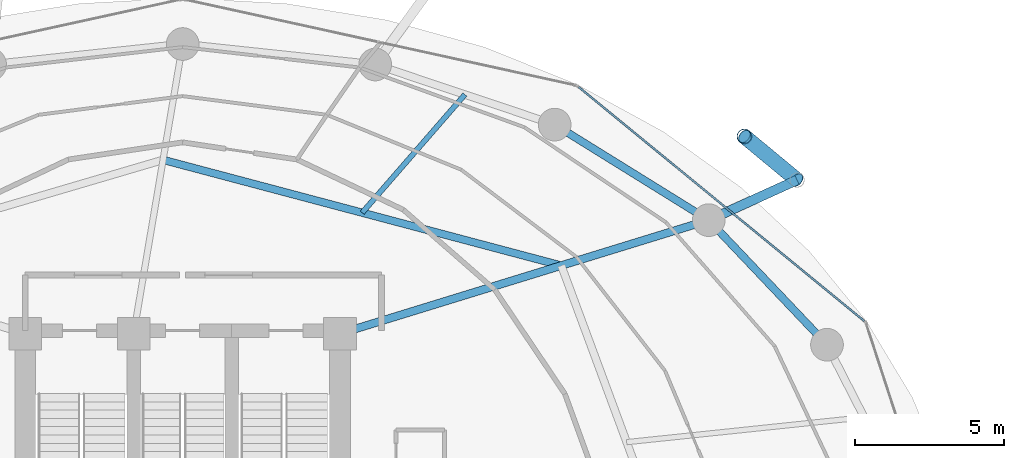
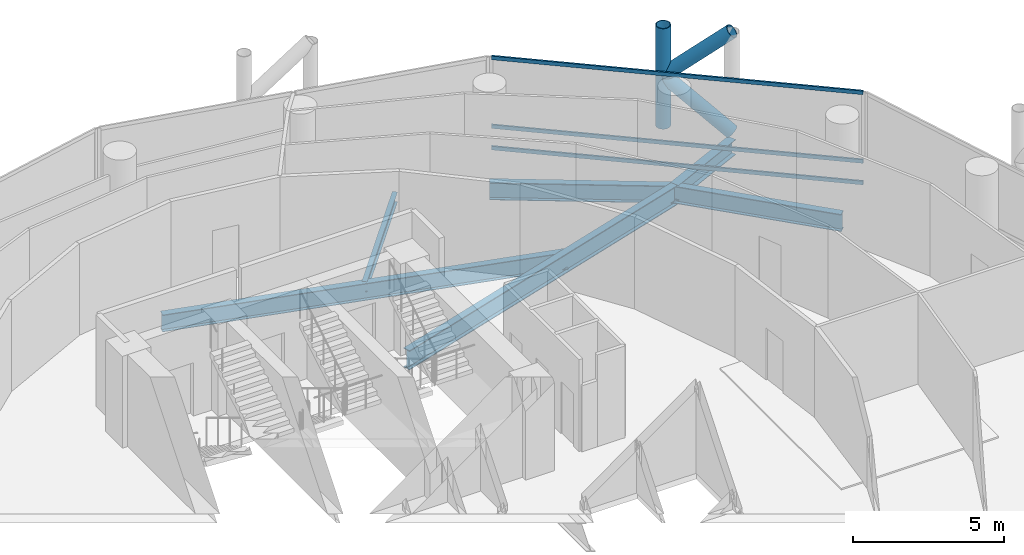
# One storey, part 17 of 27: 6 beams, 6 members, 1 element without a shape of its own.
"""IFC4 building model written with IfcOpenShell, lengths in metres."""

from ifc_helpers import new_model, si_unit, direction, frame, origin, origin_2d, place, context, subcontext, project, spatial, hollow_rectangle, hollow_circle, i_section, extrude, material, layer, layer_set, material_profile, profile_set, type_object, element, aggregate, save


model = new_model("IFC4")

# Units and contexts
model_context = context("Model", 3, precision=1e-05, world=origin(), true_north=direction((0.0, 1.0)))
body_context = subcontext(model_context, "Body", "Model", "MODEL_VIEW")
ifc_project = project(units=[si_unit("LENGTHUNIT", "METRE"), si_unit("AREAUNIT", "SQUARE_METRE"), si_unit("VOLUMEUNIT", "CUBIC_METRE"), si_unit("PLANEANGLEUNIT", "RADIAN"), si_unit("MASSUNIT", "GRAM", prefix="KILO")], contexts=[model_context])

# Site, building, storey
site_placement = place(None, origin())
site = spatial("IfcSite", under=ifc_project, at=site_placement, CompositionType="ELEMENT")
building_placement = place(site_placement, origin())
building = spatial("IfcBuilding", under=site, at=building_placement, Name="Nuhasar Tower", CompositionType="ELEMENT")
storey_placement = place(building_placement, frame((0.0, 0.0, 102.0)))
storey = spatial("IfcBuildingStorey", under=building, at=storey_placement, Name="L24", CompositionType="ELEMENT", Elevation=102.0)

# Beams
ifc_material_1 = material(Name="Steel S355", Category="steel")
ifc_material_profile_1 = material_profile(ifc_material_1, i_section(OverallWidth=0.25390625, OverallDepth=0.68408203125, WebThickness=0.012451171875, FlangeThickness=0.018798828125, at=origin_2d()), Name="W27X94")
ifc_profile_set_1 = profile_set([ifc_material_profile_1], Name="Steel S355")
beam_type_1 = type_object("IfcBeamType", Name="BM-INRING-W27X94", PredefinedType="BEAM", material=ifc_profile_set_1)
beam_1_placement = place(storey_placement, frame((51.748046875, 39.591064453125, -0.592041015625), z_axis=(-0.96653253005, 0.256544086574, 0.0), x_axis=(-0.256544086574, -0.96653253005, 0.0)))
element("IfcBeam", 1, at=beam_1_placement, inside=storey, type_object=beam_type_1, Name="L24 Inner Header Beam 05", PredefinedType="BEAM", context=body_context, shape_type="SweptSolid", body=[
    extrude(i_section(OverallWidth=0.25390625, OverallDepth=0.68408203125, WebThickness=0.012451171875, FlangeThickness=0.018798828125, at=origin_2d()), origin(), (0.0, 0.0, 1.0), 13.872314453125),
])
ifc_material_profile_2 = material_profile(ifc_material_1, i_section(OverallWidth=0.177978515625, OverallDepth=0.406005859375, WebThickness=0.0078125, FlangeThickness=0.0126953125, at=origin_2d()), Name="W16X40")
ifc_profile_set_2 = profile_set([ifc_material_profile_2], Name="Steel S355")
beam_type_2 = type_object("IfcBeamType", Name="BM-JST-W16X40", PredefinedType="JOIST", material=ifc_profile_set_2)
beam_2_placement = place(storey_placement, frame((45.0439453125, 41.3701171875, -0.452880859375), z_axis=(0.656174129694, 0.754609509296, 0.0), x_axis=(-0.754609509296, 0.656174129694, 0.0)))
element("IfcBeam", 2, at=beam_2_placement, inside=storey, type_object=beam_type_2, Name="L24 Secondary Floor Joist 05", PredefinedType="JOIST", context=body_context, shape_type="SweptSolid", body=[
    extrude(i_section(OverallWidth=0.177978515625, OverallDepth=0.406005859375, WebThickness=0.0078125, FlangeThickness=0.0126953125, at=origin_2d()), origin(), (0.0, 0.0, 1.0), 5.27294921875),
])
ifc_material_profile_3 = material_profile(ifc_material_1, i_section(OverallWidth=0.26611328125, OverallDepth=0.779052734375, WebThickness=0.0166015625, FlangeThickness=0.030029296875, at=origin_2d()), Name="W30X148")
ifc_profile_set_3 = profile_set([ifc_material_profile_3], Name="Steel S355")
beam_type_3 = type_object("IfcBeamType", Name="BM-RAD-W30X148", PredefinedType="BEAM", material=ifc_profile_set_3)
beam_3_placement = place(storey_placement, frame((44.300048828125, 37.300048828125, -0.638916015625), z_axis=(0.955789576103, 0.294051502653, 0.0), x_axis=(-0.294051502653, 0.955789576103, 0.0)))
element("IfcBeam", 3, at=beam_3_placement, inside=storey, type_object=beam_type_3, Name="L24 Radial Floor Girder 05", PredefinedType="BEAM", context=body_context, shape_type="SweptSolid", body=[
    extrude(i_section(OverallWidth=0.26611328125, OverallDepth=0.779052734375, WebThickness=0.0166015625, FlangeThickness=0.030029296875, at=origin_2d()), origin(), (0.0, 0.0, 1.0), 12.987060546875),
])
ifc_material_profile_4 = material_profile(ifc_material_1, i_section(OverallWidth=0.256103515625, OverallDepth=0.693115234375, WebThickness=0.014404296875, FlangeThickness=0.023681640625, at=origin_2d()), Name="W27X114")
ifc_profile_set_4 = profile_set([ifc_material_profile_4], Name="Steel S355")
beam_type_4 = type_object("IfcBeamType", Name="BM-RING-W27X114", PredefinedType="SPANDREL", material=ifc_profile_set_4)
beam_4_placement = place(storey_placement, frame((60.694091796875, 36.925048828125, -0.596923828125), z_axis=(-0.688480893507, 0.725254478976, 0.0), x_axis=(-0.725254478976, -0.688480893507, 0.0)))
element("IfcBeam", 4, at=beam_4_placement, inside=storey, type_object=beam_type_4, Name="L24 Perimeter Ring Spandrel 03", PredefinedType="SPANDREL", context=body_context, shape_type="SweptSolid", body=[
    extrude(i_section(OverallWidth=0.256103515625, OverallDepth=0.693115234375, WebThickness=0.014404296875, FlangeThickness=0.023681640625, at=origin_2d()), origin(), (0.0, 0.0, 1.0), 5.782470703125),
])
beam_5_placement = place(storey_placement, frame((56.712890625, 41.118896484375, -0.596923828125), z_axis=(-0.849795216549, 0.527112976439, 0.0), x_axis=(-0.527112976439, -0.849795216549, 0.0)))
element("IfcBeam", 5, at=beam_5_placement, inside=storey, type_object=beam_type_4, Name="L24 Perimeter Ring Spandrel 04", PredefinedType="SPANDREL", context=body_context, shape_type="SweptSolid", body=[
    extrude(i_section(OverallWidth=0.256103515625, OverallDepth=0.693115234375, WebThickness=0.014404296875, FlangeThickness=0.023681640625, at=origin_2d()), origin(), (0.0, 0.0, 1.0), 6.10498046875),
])
ifc_material_profile_5 = material_profile(ifc_material_1, i_section(OverallWidth=0.323974609375, OverallDepth=0.611083984375, WebThickness=0.0126953125, FlangeThickness=0.01904296875, at=origin_2d()), Name="W24X104")
ifc_profile_set_5 = profile_set([ifc_material_profile_5], Name="Steel S355")
beam_type_5 = type_object("IfcBeamType", Name="BM-TIE-W24X104", PredefinedType="BEAM", material=ifc_profile_set_5)
beam_6_placement = place(storey_placement, frame((56.712890625, 41.118896484375, -0.554931640625), z_axis=(0.910243528587, 0.414073325227, 0.0), x_axis=(-0.414073325227, 0.910243528587, 0.0)))
element("IfcBeam", 6, at=beam_6_placement, inside=storey, type_object=beam_type_5, Name="L24 Exoskeleton Node Tie Beam 02", PredefinedType="BEAM", context=body_context, shape_type="SweptSolid", body=[
    extrude(i_section(OverallWidth=0.323974609375, OverallDepth=0.611083984375, WebThickness=0.0126953125, FlangeThickness=0.01904296875, at=origin_2d()), origin(), (0.0, 0.0, 1.0), 3.26513671875),
])

# Curtain wall, members
ifc_material_2 = material(Name="Aluminium 6063-T6", Category="aluminium")
ifc_layer = layer(ifc_material_2, 0.199951171875)
ifc_layer_set = layer_set([ifc_layer], Name="Aluminium 6063-T6")
curtain_wall_type = type_object("IfcCurtainWallType", Name="CW-Z1-OFF", PredefinedType="NOTDEFINED", material=ifc_layer_set)
curtain_wall_placement = place(storey_placement, origin())
curtain_wall = element("IfcCurtainWall", 7, at=curtain_wall_placement, inside=storey, type_object=curtain_wall_type, Name="L24 Unitised Curtain Wall 02", PredefinedType="NOTDEFINED")
ifc_material_profile_6 = material_profile(ifc_material_2, hollow_rectangle(XDim=0.06494140625, YDim=0.14990234375, WallThickness=0.00439453125, at=origin_2d()), Name="CWT-2")
ifc_profile_set_6 = profile_set([ifc_material_profile_6], Name="Aluminium 6063-T6")
member_type_1 = type_object("IfcMemberType", Name="CW-TRN-S2", PredefinedType="USERDEFINED", material=ifc_profile_set_6)
member_1_placement = place(storey_placement, frame((61.95166015625, 37.72119140625, 0.032470703125), z_axis=(-0.773540851599, 0.633746440548, 0.0), x_axis=(-0.633746440548, -0.773540851599, 0.0)))
member_1 = element("IfcMember", 8, at=member_1_placement, type_object=member_type_1, Name="CW-Z1 transom 1.1", ObjectType="TRANSOM", PredefinedType="USERDEFINED", context=body_context, shape_type="SweptSolid", body=[
    extrude(hollow_rectangle(XDim=0.06494140625, YDim=0.14990234375, WallThickness=0.00439453125, at=origin_2d()), origin(), (0.0, 0.0, 1.0), 12.43798828125),
])
member_2_placement = place(storey_placement, frame((61.95166015625, 37.72119140625, 0.89990234375), z_axis=(-0.773540851599, 0.633746440548, 0.0), x_axis=(-0.633746440548, -0.773540851599, 0.0)))
member_2 = element("IfcMember", 9, at=member_2_placement, type_object=member_type_1, Name="CW-Z1 transom 1.2", ObjectType="TRANSOM", PredefinedType="USERDEFINED", context=body_context, shape_type="SweptSolid", body=[
    extrude(hollow_rectangle(XDim=0.06494140625, YDim=0.14990234375, WallThickness=0.00439453125, at=origin_2d()), origin(), (0.0, 0.0, 1.0), 12.43798828125),
])
member_3_placement = place(storey_placement, frame((61.95166015625, 37.72119140625, 3.66748046875), z_axis=(-0.773540851599, 0.633746440548, 0.0), x_axis=(-0.633746440548, -0.773540851599, 0.0)))
member_3 = element("IfcMember", 10, at=member_3_placement, type_object=member_type_1, Name="CW-Z1 transom 1.3", ObjectType="TRANSOM", PredefinedType="USERDEFINED", context=body_context, shape_type="SweptSolid", body=[
    extrude(hollow_rectangle(XDim=0.06494140625, YDim=0.14990234375, WallThickness=0.00439453125, at=origin_2d()), origin(), (0.0, 0.0, 1.0), 12.43798828125),
])
aggregate(curtain_wall, [member_1, member_2, member_3])

# Members
ifc_material_3 = material(Name="Steel S460", Category="steel")
ifc_material_profile_7 = material_profile(ifc_material_3, hollow_circle(Radius=0.25390625, WallThickness=0.025390625, at=origin_2d()), Name="HSS508X25.4")
ifc_profile_set_7 = profile_set([ifc_material_profile_7], Name="Steel S460")
member_type_2 = type_object("IfcMemberType", Name="EXO-BRONZE-508", PredefinedType="BRACE", material=ifc_profile_set_7)
member_4_placement = place(storey_placement, frame((57.9130859375, 43.93896484375, 0.0), z_axis=(0.0, 0.0, 1.0), x_axis=(1.0, 0.0, 0.0)))
element("IfcMember", 11, at=member_4_placement, inside=storey, type_object=member_type_2, Name="L24 Exoskeleton Chord Column EC-02B", PredefinedType="BRACE", context=body_context, shape_type="SweptSolid", body=[
    extrude(hollow_circle(Radius=0.25390625, WallThickness=0.025390625, at=origin_2d()), origin(), (0.0, 0.0, 1.0), 4.050048828125),
])
member_5_placement = place(storey_placement, frame((59.68505859375, 42.470947265625, 0.0), z_axis=(-0.578101613167, 0.478937034992, 0.660619286251), x_axis=(-0.637969333506, -0.770061769929, 0.0)))
element("IfcMember", 12, at=member_5_placement, inside=storey, type_object=member_type_2, Name="L24 Bronze Diagrid Brace W1-02", PredefinedType="BRACE", context=body_context, shape_type="SweptSolid", body=[
    extrude(hollow_circle(Radius=0.25390625, WallThickness=0.025390625, at=origin_2d()), origin(), (0.0, 0.0, 1.0), 3.065185546875),
])
member_6_placement = place(storey_placement, frame((57.9130859375, 43.93896484375, 2.02490234375), z_axis=(0.578071194894, -0.478911834514, 0.660664172175), x_axis=(0.637969333506, 0.770061769929, 0.0)))
element("IfcMember", 13, at=member_6_placement, inside=storey, type_object=member_type_2, Name="L24 Bronze Diagrid Brace W2-02", PredefinedType="BRACE", context=body_context, shape_type="SweptSolid", body=[
    extrude(hollow_circle(Radius=0.25390625, WallThickness=0.025390625, at=origin_2d()), origin(), (0.0, 0.0, 1.0), 3.0654296875),
])

save(model, "model.ifc")
